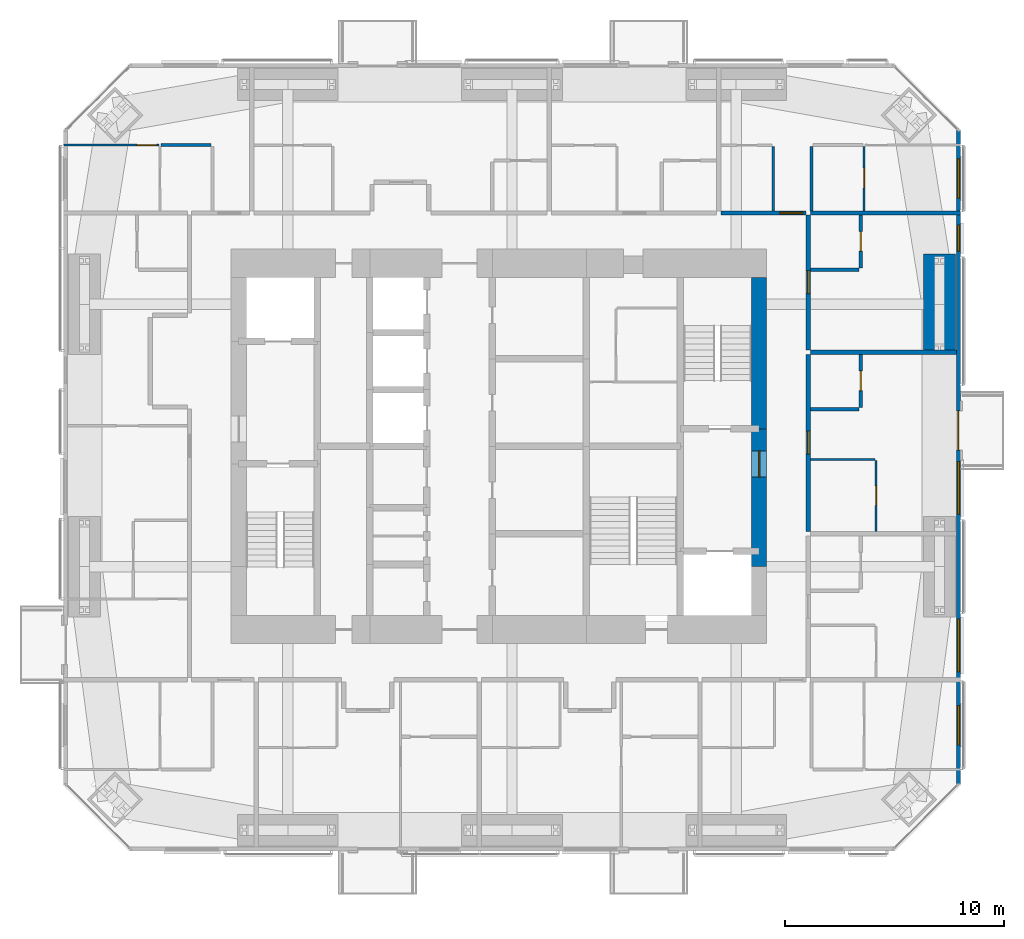
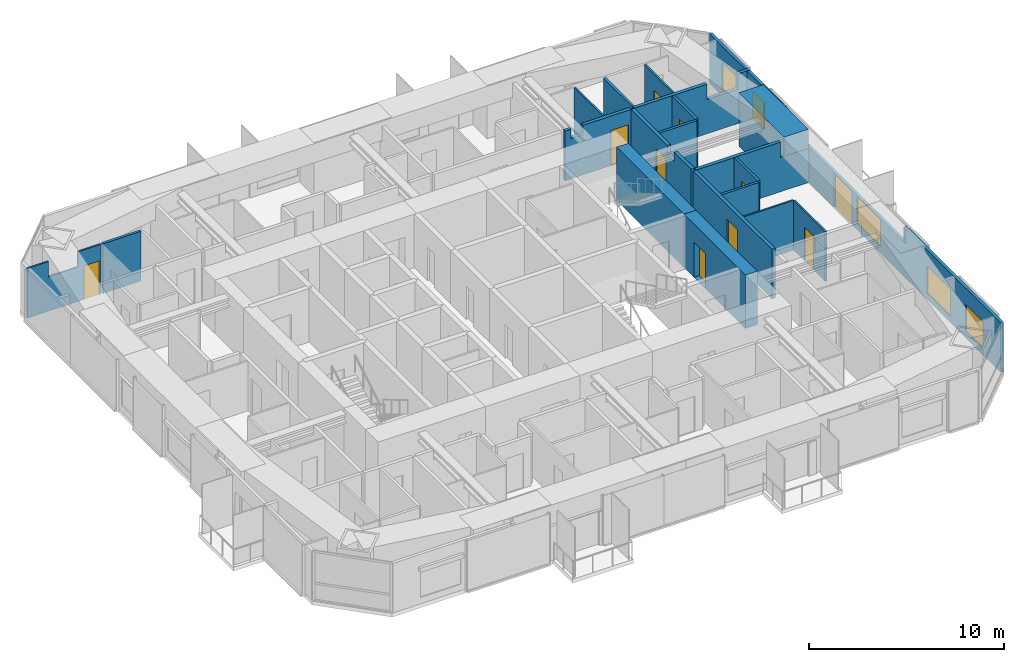
# One storey, part 20 of 23: 20 walls, 10 doors, 5 windows, 15 openings.
"""IFC4 building model written with IfcOpenShell, lengths in metres."""

from ifc_helpers import new_model, si_unit, direction, frame, frame_2d, origin, place, context, subcontext, project, spatial, polyline, rectangle, outline, extrude, material, layer, layer_set, constituent, constituent_set, type_object, element, fill, save


model = new_model("IFC4")

# Units and contexts
model_context = context("Model", 3, precision=1e-05, world=origin(), true_north=direction((0.0, 1.0)))
body_context = subcontext(model_context, "Body", "Model", "MODEL_VIEW")
ifc_project = project(units=[si_unit("LENGTHUNIT", "METRE"), si_unit("AREAUNIT", "SQUARE_METRE"), si_unit("VOLUMEUNIT", "CUBIC_METRE"), si_unit("PLANEANGLEUNIT", "RADIAN"), si_unit("MASSUNIT", "GRAM", prefix="KILO")], contexts=[model_context])

# Site, building, storey
site_placement = place(None, origin())
site = spatial("IfcSite", under=ifc_project, at=site_placement, CompositionType="ELEMENT")
building_placement = place(site_placement, origin())
building = spatial("IfcBuilding", under=site, at=building_placement, Name="Jalousie Tower", CompositionType="ELEMENT")
storey_placement = place(building_placement, frame((0.0, 0.0, 157.699951171875)))
storey = spatial("IfcBuildingStorey", under=building, at=storey_placement, Name="L42", CompositionType="ELEMENT", Elevation=157.699951171875)

# Walls
ifc_material_1 = material(Name="Concrete block ASTM C90", Category="concrete")
ifc_constituent_1 = constituent(ifc_material_1, Name="Body")
ifc_material_2 = material(Name="Render")
ifc_constituent_2 = constituent(ifc_material_2, Name="Finish")
ifc_constituent_set_1 = constituent_set(constituents=[ifc_constituent_1, ifc_constituent_2])
wall_type_1 = type_object("IfcWallType", Name="BATHROOM WALL 150", PredefinedType="PLUMBINGWALL", material=ifc_constituent_set_1)
wall_1_placement = place(storey_placement, frame((18.72509765625, 32.27880859375, 0.0), z_axis=(0.0, 0.0, 1.0), x_axis=(-1.0, 0.0, 0.0)))
element("IfcWall", 1, at=wall_1_placement, inside=storey, type_object=wall_type_1, Name="Bathroom Wall 150 L42", PredefinedType="PLUMBINGWALL", context=body_context, shape_type="SweptSolid", body=[
    extrude(rectangle(XDim=2.275146484375, YDim=0.14990234375, at=frame_2d((1.1376953125, 0.0))), origin(), (0.0, 0.0, 1.0), 3.110107421875),
])
wall_2_placement = place(storey_placement, frame((46.199951171875, 32.20361328125, 0.0), z_axis=(0.0, 0.0, 1.0), x_axis=(0.0, -1.0, 0.0)))
element("IfcWall", 2, at=wall_2_placement, inside=storey, type_object=wall_type_1, Name="Bathroom Wall 150 L42", PredefinedType="PLUMBINGWALL", context=body_context, shape_type="SweptSolid", body=[
    extrude(rectangle(XDim=2.9287109375, YDim=0.14990234375, at=frame_2d((1.46435546875, 0.0))), origin(), (0.0, 0.0, 1.0), 3.110107421875),
])

# Wall, opening, door
wall_3_placement = place(storey_placement, frame((48.449951171875, 20.27490234375, 0.0), z_axis=(0.0, 0.0, 1.0), x_axis=(0.0, 1.0, 0.0)))
wall_3 = element("IfcWall", 3, at=wall_3_placement, inside=storey, type_object=wall_type_1, Name="Bathroom Wall 150 L42", PredefinedType="PLUMBINGWALL", context=body_context, shape_type="SweptSolid", body=[
    extrude(rectangle(XDim=2.425048828125, YDim=0.14990234375, at=frame_2d((1.21240234375, 0.0))), origin(), (0.0, 0.0, 1.0), 3.110107421875),
])
opening_1_placement = place(wall_3_placement, frame((0.77490234375, 0.0, 0.0)))
opening_1 = element("IfcOpeningElement", 4, at=opening_1_placement, cuts=wall_3, Name="Opening D3", PredefinedType="OPENING", context=body_context, shape_type="SweptSolid", body=[
    extrude(rectangle(XDim=0.89990234375, YDim=2.10009765625, at=frame_2d((0.449951171875, 1.050048828125))), frame((0.0, 0.0849609375, 0.0), z_axis=(0.0, -1.0, 0.0), x_axis=(1.0, 0.0, 0.0)), (0.0, 0.0, 1.0), 0.169921875),
])
ifc_material_3 = material(Name="Timber door", Category="wood")
door_type_1 = type_object("IfcDoorType", Name="BATHROOM DOOR 900", OperationType="SINGLE_SWING_LEFT", PredefinedType="DOOR", material=ifc_material_3)
door_1_placement = place(opening_1_placement, origin())
door_1 = element("IfcDoor", 5, at=door_1_placement, inside=storey, type_object=door_type_1, Name="Apartment 4211 bathroom door", OperationType="SINGLE_SWING_RIGHT", OverallHeight=2.10009765625, OverallWidth=0.89990234375, PredefinedType="DOOR", context=body_context, shape_type="SweptSolid", body=[
    extrude(rectangle(XDim=0.89990234375, YDim=2.10009765625, at=frame_2d((0.449951171875, 1.050048828125))), frame((0.0, 0.02490234375, 0.0), z_axis=(0.0, -1.0, 0.0), x_axis=(1.0, 0.0, 0.0)), (0.0, 0.0, 1.0), 0.050048828125),
])
fill(opening_1, door_1)

# Wall
wall_4_placement = place(storey_placement, frame((48.375, 20.199951171875, 0.0), z_axis=(0.0, 0.0, 1.0), x_axis=(-1.0, 0.0, 0.0)))
element("IfcWall", 6, at=wall_4_placement, inside=storey, type_object=wall_type_1, Name="Bathroom Wall 150 L42", PredefinedType="PLUMBINGWALL", context=body_context, shape_type="SweptSolid", body=[
    extrude(rectangle(XDim=2.22509765625, YDim=0.14990234375, at=frame_2d((1.112548828125, 0.0))), origin(), (0.0, 0.0, 1.0), 3.110107421875),
])

# Wall, opening, door
wall_5_placement = place(storey_placement, frame((48.449951171875, 26.64990234375, 0.0), z_axis=(0.0, 0.0, 1.0), x_axis=(0.0, 1.0, 0.0)))
wall_5 = element("IfcWall", 7, at=wall_5_placement, inside=storey, type_object=wall_type_1, Name="Bathroom Wall 150 L42", PredefinedType="PLUMBINGWALL", context=body_context, shape_type="SweptSolid", body=[
    extrude(rectangle(XDim=2.425048828125, YDim=0.14990234375, at=frame_2d((1.21240234375, 0.0))), origin(), (0.0, 0.0, 1.0), 3.110107421875),
])
opening_2_placement = place(wall_5_placement, frame((0.77490234375, 0.0, 0.0)))
opening_2 = element("IfcOpeningElement", 8, at=opening_2_placement, cuts=wall_5, Name="Opening D3", PredefinedType="OPENING", context=body_context, shape_type="SweptSolid", body=[
    extrude(rectangle(XDim=0.89990234375, YDim=2.10009765625, at=frame_2d((0.449951171875, 1.050048828125))), frame((0.0, 0.0849609375, 0.0), z_axis=(0.0, -1.0, 0.0), x_axis=(1.0, 0.0, 0.0)), (0.0, 0.0, 1.0), 0.169921875),
])
door_2_placement = place(opening_2_placement, origin())
door_2 = element("IfcDoor", 9, at=door_2_placement, inside=storey, type_object=door_type_1, Name="Apartment 4212 bathroom door", OperationType="SINGLE_SWING_RIGHT", OverallHeight=2.10009765625, OverallWidth=0.89990234375, PredefinedType="DOOR", context=body_context, shape_type="SweptSolid", body=[
    extrude(rectangle(XDim=0.89990234375, YDim=2.10009765625, at=frame_2d((0.449951171875, 1.050048828125))), frame((0.0, 0.02490234375, 0.0), z_axis=(0.0, -1.0, 0.0), x_axis=(1.0, 0.0, 0.0)), (0.0, 0.0, 1.0), 0.050048828125),
])
fill(opening_2, door_2)

# Wall
wall_6_placement = place(storey_placement, frame((48.375, 26.574951171875, 0.0), z_axis=(0.0, 0.0, 1.0), x_axis=(-1.0, 0.0, 0.0)))
element("IfcWall", 10, at=wall_6_placement, inside=storey, type_object=wall_type_1, Name="Bathroom Wall 150 L42", PredefinedType="PLUMBINGWALL", context=body_context, shape_type="SweptSolid", body=[
    extrude(rectangle(XDim=2.22509765625, YDim=0.14990234375, at=frame_2d((1.112548828125, 0.0))), origin(), (0.0, 0.0, 1.0), 3.110107421875),
])

# Wall, opening, door
ifc_material_4 = material(Name="Concrete f'c 120 MPa", Category="concrete")
ifc_layer_1 = layer(ifc_material_4, 0.699951171875)
ifc_layer_set_1 = layer_set([ifc_layer_1], Name="Concrete f'c 120 MPa")
wall_type_2 = type_object("IfcWallType", Name="CORE WALL 700", PredefinedType="SHEAR", material=ifc_layer_set_1)
wall_7_placement = place(storey_placement, frame((43.800048828125, 13.0, 0.0), z_axis=(0.0, 0.0, 1.0), x_axis=(0.0, 1.0, 0.0)))
wall_7 = element("IfcWall", 11, at=wall_7_placement, inside=storey, type_object=wall_type_2, Name="Core wall EB L42", PredefinedType="SHEAR", context=body_context, shape_type="SweptSolid", body=[
    extrude(rectangle(XDim=6.300048828125, YDim=0.699951171875, at=frame_2d((3.14990234375, 0.0))), origin(), (0.0, 0.0, 1.0), 3.35009765625),
])
opening_3_placement = place(wall_7_placement, frame((4.10009765625, 0.0, 0.0)))
opening_3 = element("IfcOpeningElement", 12, at=opening_3_placement, cuts=wall_7, Name="Opening D11", PredefinedType="OPENING", context=body_context, shape_type="SweptSolid", body=[
    extrude(rectangle(XDim=1.199951171875, YDim=2.199951171875, at=frame_2d((0.60009765625, 1.10009765625))), frame((0.0, 0.35986328125, 0.0), z_axis=(0.0, -1.0, 0.0), x_axis=(1.0, 0.0, 0.0)), (0.0, 0.0, 1.0), 0.719970703125),
])
ifc_material_5 = material(Name="Steel fire door", Category="steel")
door_type_2 = type_object("IfcDoorType", Name="FIRE DOOR 1200", OperationType="SINGLE_SWING_LEFT", PredefinedType="DOOR", material=ifc_material_5)
door_3_placement = place(opening_3_placement, origin())
door_3 = element("IfcDoor", 13, at=door_3_placement, inside=storey, type_object=door_type_2, Name="Fire-fighting lobby B door", OperationType="SINGLE_SWING_RIGHT", OverallHeight=2.199951171875, OverallWidth=1.199951171875, PredefinedType="DOOR", context=body_context, shape_type="SweptSolid", body=[
    extrude(rectangle(XDim=1.199951171875, YDim=2.199951171875, at=frame_2d((0.60009765625, 1.10009765625))), frame((0.0, 0.02490234375, 0.0), z_axis=(0.0, -1.0, 0.0), x_axis=(1.0, 0.0, 0.0)), (0.0, 0.0, 1.0), 0.050048828125),
])
fill(opening_3, door_3)

# Wall
wall_8_placement = place(storey_placement, frame((43.800048828125, 19.300048828125, 0.0), z_axis=(0.0, 0.0, 1.0), x_axis=(0.0, 1.0, 0.0)))
element("IfcWall", 14, at=wall_8_placement, inside=storey, type_object=wall_type_2, Name="Core wall EC L42", PredefinedType="SHEAR", context=body_context, shape_type="SweptSolid", body=[
    extrude(rectangle(XDim=6.925048828125, YDim=0.699951171875, at=frame_2d((3.46240234375, 0.0))), origin(), (0.0, 0.0, 1.0), 3.35009765625),
])

# Wall, opening, door
ifc_material_6 = material(Name="Concrete block ASTM C90", Category="concrete")
ifc_constituent_3 = constituent(ifc_material_6, Name="Body")
ifc_material_7 = material(Name="Render")
ifc_constituent_4 = constituent(ifc_material_7, Name="Finish")
ifc_constituent_set_2 = constituent_set(constituents=[ifc_constituent_3, ifc_constituent_4])
wall_type_3 = type_object("IfcWallType", Name="CORRIDOR WALL 200", PredefinedType="PARTITIONING", material=ifc_constituent_set_2)
wall_9_placement = place(storey_placement, frame((42.050048828125, 29.175048828125, 0.0), z_axis=(0.0, 0.0, 1.0), x_axis=(1.0, 0.0, 0.0)))
wall_9 = element("IfcWall", 15, at=wall_9_placement, inside=storey, type_object=wall_type_3, Name="Corridor Wall 200 L42", PredefinedType="PARTITIONING", context=body_context, shape_type="SweptSolid", body=[
    extrude(outline(polyline([(0.0, 0.0), (3.89990234375, 0.0), (3.89990234375, 3.110107421875), (1.046142578125, 3.110107421875), (1.046142578125, 2.531005859375), (0.353759765625, 2.531005859375), (0.353759765625, 3.110107421875), (0.0, 3.110107421875), (0.0, 0.0)])), frame((0.0, 0.10009765625, 0.0), z_axis=(0.0, -1.0, 0.0), x_axis=(1.0, 0.0, 0.0)), (0.0, 0.0, 1.0), 0.199951171875),
])
opening_4_placement = place(wall_9_placement, frame((2.699951171875, 0.0, 0.0)))
opening_4 = element("IfcOpeningElement", 16, at=opening_4_placement, cuts=wall_9, Name="Opening D1", PredefinedType="OPENING", context=body_context, shape_type="SweptSolid", body=[
    extrude(rectangle(XDim=1.050048828125, YDim=2.199951171875, at=frame_2d((0.52490234375, 1.10009765625))), frame((0.0, 0.10986328125, 0.0), z_axis=(0.0, -1.0, 0.0), x_axis=(1.0, 0.0, 0.0)), (0.0, 0.0, 1.0), 0.219970703125),
])
ifc_material_8 = material(Name="Timber fire door", Category="wood")
door_type_3 = type_object("IfcDoorType", Name="APARTMENT ENTRANCE DOOR 1050", OperationType="SINGLE_SWING_LEFT", PredefinedType="DOOR", material=ifc_material_8)
door_4_placement = place(opening_4_placement, origin())
door_4 = element("IfcDoor", 17, at=door_4_placement, inside=storey, type_object=door_type_3, Name="Apartment 4208 entrance", OperationType="SINGLE_SWING_LEFT", OverallHeight=2.199951171875, OverallWidth=1.050048828125, PredefinedType="DOOR", context=body_context, shape_type="SweptSolid", body=[
    extrude(rectangle(XDim=1.050048828125, YDim=2.199951171875, at=frame_2d((0.52490234375, 1.10009765625))), frame((0.0, 0.02490234375, 0.0), z_axis=(0.0, -1.0, 0.0), x_axis=(1.0, 0.0, 0.0)), (0.0, 0.0, 1.0), 0.050048828125),
])
fill(opening_4, door_4)

wall_10_placement = place(storey_placement, frame((46.050048828125, 14.60009765625, 0.0), z_axis=(0.0, 0.0, 1.0), x_axis=(0.0, 1.0, 0.0)))
wall_10 = element("IfcWall", 18, at=wall_10_placement, inside=storey, type_object=wall_type_3, Name="Corridor Wall 200 L42", PredefinedType="PARTITIONING", context=body_context, shape_type="SweptSolid", body=[
    extrude(rectangle(XDim=8.099853515625, YDim=0.199951171875, at=frame_2d((4.0498046875, 0.0))), origin(), (0.0, 0.0, 1.0), 3.110107421875),
])
opening_5_placement = place(wall_10_placement, frame((3.550048828125, 0.0, 0.0)))
opening_5 = element("IfcOpeningElement", 19, at=opening_5_placement, cuts=wall_10, Name="Opening D1", PredefinedType="OPENING", context=body_context, shape_type="SweptSolid", body=[
    extrude(rectangle(XDim=1.050048828125, YDim=2.199951171875, at=frame_2d((0.52490234375, 1.10009765625))), frame((0.0, 0.10986328125, 0.0), z_axis=(0.0, -1.0, 0.0), x_axis=(1.0, 0.0, 0.0)), (0.0, 0.0, 1.0), 0.219970703125),
])
door_5_placement = place(opening_5_placement, frame((1.050048828125, 0.0, 0.0), z_axis=(0.0, 0.0, 1.0), x_axis=(-1.0, 0.0, 0.0)))
door_5 = element("IfcDoor", 20, at=door_5_placement, inside=storey, type_object=door_type_3, Name="Apartment 4211 entrance", OperationType="SINGLE_SWING_RIGHT", OverallHeight=2.199951171875, OverallWidth=1.050048828125, PredefinedType="DOOR", context=body_context, shape_type="SweptSolid", body=[
    extrude(rectangle(XDim=1.050048828125, YDim=2.199951171875, at=frame_2d((0.52490234375, 1.10009765625))), frame((0.0, 0.02490234375, 0.0), z_axis=(0.0, -1.0, 0.0), x_axis=(1.0, 0.0, 0.0)), (0.0, 0.0, 1.0), 0.050048828125),
])
fill(opening_5, door_5)

wall_11_placement = place(storey_placement, frame((46.050048828125, 22.89990234375, 0.0), z_axis=(0.0, 0.0, 1.0), x_axis=(0.0, 1.0, 0.0)))
wall_11 = element("IfcWall", 21, at=wall_11_placement, inside=storey, type_object=wall_type_3, Name="Corridor Wall 200 L42", PredefinedType="PARTITIONING", context=body_context, shape_type="SweptSolid", body=[
    extrude(outline(polyline([(0.0, 0.0), (6.175048828125, 0.0), (6.175048828125, 3.110107421875), (2.4462890625, 3.110107421875), (2.4462890625, 2.531005859375), (1.75390625, 2.531005859375), (1.75390625, 3.110107421875), (0.0, 3.110107421875), (0.0, 0.0)])), frame((0.0, 0.10009765625, 0.0), z_axis=(0.0, -1.0, 0.0), x_axis=(1.0, 0.0, 0.0)), (0.0, 0.0, 1.0), 0.199951171875),
])
opening_6_placement = place(wall_11_placement, frame((2.58740234375, 0.0, 0.0)))
opening_6 = element("IfcOpeningElement", 22, at=opening_6_placement, cuts=wall_11, Name="Opening D1", PredefinedType="OPENING", context=body_context, shape_type="SweptSolid", body=[
    extrude(rectangle(XDim=1.050048828125, YDim=2.199951171875, at=frame_2d((0.52490234375, 1.10009765625))), frame((0.0, 0.10986328125, 0.0), z_axis=(0.0, -1.0, 0.0), x_axis=(1.0, 0.0, 0.0)), (0.0, 0.0, 1.0), 0.219970703125),
])
door_6_placement = place(opening_6_placement, frame((1.050048828125, 0.0, 0.0), z_axis=(0.0, 0.0, 1.0), x_axis=(-1.0, 0.0, 0.0)))
door_6 = element("IfcDoor", 23, at=door_6_placement, inside=storey, type_object=door_type_3, Name="Apartment 4212 entrance", OperationType="SINGLE_SWING_LEFT", OverallHeight=2.199951171875, OverallWidth=1.050048828125, PredefinedType="DOOR", context=body_context, shape_type="SweptSolid", body=[
    extrude(rectangle(XDim=1.050048828125, YDim=2.199951171875, at=frame_2d((0.52490234375, 1.10009765625))), frame((0.0, 0.02490234375, 0.0), z_axis=(0.0, -1.0, 0.0), x_axis=(1.0, 0.0, 0.0)), (0.0, 0.0, 1.0), 0.050048828125),
])
fill(opening_6, door_6)

# Wall, openings, door, windows
ifc_material_9 = material(Name="Concrete f'c 40 MPa", Category="concrete")
ifc_constituent_5 = constituent(ifc_material_9, Name="Body")
ifc_material_10 = material(Name="Render, pastel lemon")
ifc_constituent_6 = constituent(ifc_material_10, Name="Finish")
ifc_constituent_set_3 = constituent_set(constituents=[ifc_constituent_5, ifc_constituent_6])
wall_type_4 = type_object("IfcWallType", Name="EXTERNAL WALL 175 LEMON RENDER", PredefinedType="SOLIDWALL", material=ifc_constituent_set_3)
wall_12_placement = place(storey_placement, frame((52.91259765625, 3.05126953125, 0.0), z_axis=(0.0, 0.0, 1.0), x_axis=(0.0, 1.0, 0.0)))
wall_12 = element("IfcWall", 24, at=wall_12_placement, inside=storey, type_object=wall_type_4, Name="External Wall 175 Lemon Render L42", PredefinedType="SOLIDWALL", context=body_context, shape_type="SweptSolid", body=[
    extrude(outline(polyline([(0.0, 0.0), (29.8974609375, 0.0), (29.8974609375, 3.110107421875), (22.16748046875, 3.110107421875), (22.16748046875, 2.150146484375), (22.073974609375, 2.150146484375), (22.073974609375, 3.110107421875), (21.94873046875, 3.110107421875), (21.94873046875, 2.150146484375), (9.94873046875, 2.150146484375), (9.94873046875, 3.110107421875), (9.846923828125, 3.110107421875), (9.846923828125, 2.150146484375), (9.7060546875, 2.150146484375), (9.7060546875, 3.110107421875), (0.0, 3.110107421875), (0.0, 0.0)])), frame((0.0, 0.08740234375, 0.0), z_axis=(0.0, -1.0, 0.0), x_axis=(1.0, 0.0, 0.0)), (0.0, 0.0, 1.0), 0.175048828125),
])
opening_7_placement = place(wall_12_placement, frame((1.796875, 0.0, 0.39990234375)))
opening_7 = element("IfcOpeningElement", 25, at=opening_7_placement, cuts=wall_12, Name="Opening W-BED170", PredefinedType="OPENING", context=body_context, shape_type="SweptSolid", body=[
    extrude(rectangle(XDim=1.800048828125, YDim=1.699951171875, at=frame_2d((0.89990234375, 0.85009765625))), frame((0.0, 0.097412109375, 0.0), z_axis=(0.0, -1.0, 0.0), x_axis=(1.0, 0.0, 0.0)), (0.0, 0.0, 1.0), 0.195068359375),
])
opening_8_placement = place(wall_12_placement, frame((5.148681640625, 0.0, 0.39990234375)))
opening_8 = element("IfcOpeningElement", 26, at=opening_8_placement, cuts=wall_12, Name="Opening W-LIV170", PredefinedType="OPENING", context=body_context, shape_type="SweptSolid", body=[
    extrude(rectangle(XDim=2.39990234375, YDim=1.699951171875, at=frame_2d((1.199951171875, 0.85009765625))), frame((0.0, 0.097412109375, 0.0), z_axis=(0.0, -1.0, 0.0), x_axis=(1.0, 0.0, 0.0)), (0.0, 0.0, 1.0), 0.195068359375),
])
opening_9_placement = place(wall_12_placement, frame((15.273681640625, 0.0, 0.0)))
opening_9 = element("IfcOpeningElement", 27, at=opening_9_placement, cuts=wall_12, Name="Opening D-BAL21", PredefinedType="OPENING", context=body_context, shape_type="SweptSolid", body=[
    extrude(rectangle(XDim=1.800048828125, YDim=2.10009765625, at=frame_2d((0.89990234375, 1.050048828125))), frame((0.0, 0.097412109375, 0.0), z_axis=(0.0, -1.0, 0.0), x_axis=(1.0, 0.0, 0.0)), (0.0, 0.0, 1.0), 0.195068359375),
])
opening_10_placement = place(wall_12_placement, frame((12.3486328125, 0.0, 0.39990234375)))
opening_10 = element("IfcOpeningElement", 28, at=opening_10_placement, cuts=wall_12, Name="Opening W-LIV170", PredefinedType="OPENING", context=body_context, shape_type="SweptSolid", body=[
    extrude(rectangle(XDim=2.39990234375, YDim=1.699951171875, at=frame_2d((1.199951171875, 0.85009765625))), frame((0.0, 0.097412109375, 0.0), z_axis=(0.0, -1.0, 0.0), x_axis=(1.0, 0.0, 0.0)), (0.0, 0.0, 1.0), 0.195068359375),
])
opening_11_placement = place(wall_12_placement, frame((24.373291015625, 0.0, 0.39990234375)))
opening_11 = element("IfcOpeningElement", 29, at=opening_11_placement, cuts=wall_12, Name="Opening W-COR170", PredefinedType="OPENING", context=body_context, shape_type="SweptSolid", body=[
    extrude(rectangle(XDim=1.199951171875, YDim=1.699951171875, at=frame_2d((0.60009765625, 0.85009765625))), frame((0.0, 0.097412109375, 0.0), z_axis=(0.0, -1.0, 0.0), x_axis=(1.0, 0.0, 0.0)), (0.0, 0.0, 1.0), 0.195068359375),
])
opening_12_placement = place(wall_12_placement, frame((26.800537109375, 0.0, 0.39990234375)))
opening_12 = element("IfcOpeningElement", 30, at=opening_12_placement, cuts=wall_12, Name="Opening W-BED170", PredefinedType="OPENING", context=body_context, shape_type="SweptSolid", body=[
    extrude(rectangle(XDim=1.800048828125, YDim=1.699951171875, at=frame_2d((0.89990234375, 0.85009765625))), frame((0.0, 0.097412109375, 0.0), z_axis=(0.0, -1.0, 0.0), x_axis=(1.0, 0.0, 0.0)), (0.0, 0.0, 1.0), 0.195068359375),
])
ifc_material_11 = material(Name="Aluminium frame, impact-rated glazing", Category="aluminium")
door_type_4 = type_object("IfcDoorType", Name="BALCONY DOOR 1800x2100", OperationType="SLIDING_TO_LEFT", PredefinedType="DOOR", material=ifc_material_11)
door_7_placement = place(opening_9_placement, origin())
door_7 = element("IfcDoor", 31, at=door_7_placement, inside=storey, type_object=door_type_4, Name="Apartment 4211 studio living and sleeping room balcony door", OperationType="SLIDING_TO_LEFT", OverallHeight=2.10009765625, OverallWidth=1.800048828125, PredefinedType="DOOR", context=body_context, shape_type="SweptSolid", body=[
    extrude(rectangle(XDim=1.800048828125, YDim=2.10009765625, at=frame_2d((0.89990234375, 1.050048828125))), frame((0.0, 0.02490234375, 0.0), z_axis=(0.0, -1.0, 0.0), x_axis=(1.0, 0.0, 0.0)), (0.0, 0.0, 1.0), 0.050048828125),
])
fill(opening_9, door_7)
ifc_material_12 = material(Name="Aluminium frame, impact-rated glazing", Category="aluminium")
window_type_1 = type_object("IfcWindowType", Name="WINDOW BED 1800x1700", PartitioningType="SINGLE_PANEL", PredefinedType="WINDOW", material=ifc_material_12)
window_1_placement = place(opening_7_placement, origin())
window_1 = element("IfcWindow", 32, at=window_1_placement, inside=storey, type_object=window_type_1, Name="Apartment 4204 bedroom 1 window", OverallHeight=1.699951171875, OverallWidth=1.800048828125, PartitioningType="SINGLE_PANEL", PredefinedType="WINDOW", context=body_context, shape_type="SweptSolid", body=[
    extrude(rectangle(XDim=1.800048828125, YDim=1.699951171875, at=frame_2d((0.89990234375, 0.85009765625))), frame((0.0, 0.030029296875, 0.0), z_axis=(0.0, -1.0, 0.0), x_axis=(1.0, 0.0, 0.0)), (0.0, 0.0, 1.0), 0.06005859375),
])
fill(opening_7, window_1)
window_2_placement = place(opening_12_placement, origin())
window_2 = element("IfcWindow", 33, at=window_2_placement, inside=storey, type_object=window_type_1, Name="Apartment 4208 bedroom 1 window", OverallHeight=1.699951171875, OverallWidth=1.800048828125, PartitioningType="SINGLE_PANEL", PredefinedType="WINDOW", context=body_context, shape_type="SweptSolid", body=[
    extrude(rectangle(XDim=1.800048828125, YDim=1.699951171875, at=frame_2d((0.89990234375, 0.85009765625))), frame((0.0, 0.030029296875, 0.0), z_axis=(0.0, -1.0, 0.0), x_axis=(1.0, 0.0, 0.0)), (0.0, 0.0, 1.0), 0.06005859375),
])
fill(opening_12, window_2)
ifc_material_13 = material(Name="Aluminium frame, impact-rated glazing", Category="aluminium")
window_type_2 = type_object("IfcWindowType", Name="WINDOW COR 1200x1700", PartitioningType="SINGLE_PANEL", PredefinedType="WINDOW", material=ifc_material_13)
window_3_placement = place(opening_11_placement, origin())
window_3 = element("IfcWindow", 34, at=window_3_placement, inside=storey, type_object=window_type_2, Name="Apartment 4212 studio kitchen, living and sleeping room window", OverallHeight=1.699951171875, OverallWidth=1.199951171875, PartitioningType="SINGLE_PANEL", PredefinedType="WINDOW", context=body_context, shape_type="SweptSolid", body=[
    extrude(rectangle(XDim=1.199951171875, YDim=1.699951171875, at=frame_2d((0.60009765625, 0.85009765625))), frame((0.0, 0.030029296875, 0.0), z_axis=(0.0, -1.0, 0.0), x_axis=(1.0, 0.0, 0.0)), (0.0, 0.0, 1.0), 0.06005859375),
])
fill(opening_11, window_3)
ifc_material_14 = material(Name="Aluminium frame, impact-rated glazing", Category="aluminium")
window_type_3 = type_object("IfcWindowType", Name="WINDOW LIV 2400x1700", PartitioningType="DOUBLE_PANEL_VERTICAL", PredefinedType="WINDOW", material=ifc_material_14)
window_4_placement = place(opening_8_placement, origin())
window_4 = element("IfcWindow", 35, at=window_4_placement, inside=storey, type_object=window_type_3, Name="Apartment 4210 studio living and sleeping room window", OverallHeight=1.699951171875, OverallWidth=2.39990234375, PartitioningType="SINGLE_PANEL", PredefinedType="WINDOW", context=body_context, shape_type="SweptSolid", body=[
    extrude(rectangle(XDim=2.39990234375, YDim=1.699951171875, at=frame_2d((1.199951171875, 0.85009765625))), frame((0.0, 0.030029296875, 0.0), z_axis=(0.0, -1.0, 0.0), x_axis=(1.0, 0.0, 0.0)), (0.0, 0.0, 1.0), 0.06005859375),
])
fill(opening_8, window_4)
window_5_placement = place(opening_10_placement, origin())
window_5 = element("IfcWindow", 36, at=window_5_placement, inside=storey, type_object=window_type_3, Name="Apartment 4211 studio living and sleeping room window", OverallHeight=1.699951171875, OverallWidth=2.39990234375, PartitioningType="SINGLE_PANEL", PredefinedType="WINDOW", context=body_context, shape_type="SweptSolid", body=[
    extrude(rectangle(XDim=2.39990234375, YDim=1.699951171875, at=frame_2d((1.199951171875, 0.85009765625))), frame((0.0, 0.030029296875, 0.0), z_axis=(0.0, -1.0, 0.0), x_axis=(1.0, 0.0, 0.0)), (0.0, 0.0, 1.0), 0.06005859375),
])
fill(opening_10, window_5)

# Wall, opening, door
ifc_material_15 = material(Name="Gypsum board", Category="gypsum")
ifc_constituent_7 = constituent(ifc_material_15, Name="Body")
ifc_material_16 = material(Name="Light-gauge steel studs ASTM A653 SS Grade 33", Category="steel")
ifc_constituent_8 = constituent(ifc_material_16, Name="Framing")
ifc_constituent_set_4 = constituent_set(constituents=[ifc_constituent_7, ifc_constituent_8])
wall_type_5 = type_object("IfcWallType", Name="PARTITION 100", PredefinedType="PARTITIONING", material=ifc_constituent_set_4)
wall_13_placement = place(storey_placement, frame((16.35009765625, 32.27880859375, 0.0), z_axis=(0.0, 0.0, 1.0), x_axis=(-1.0, 0.0, 0.0)))
wall_13 = element("IfcWall", 37, at=wall_13_placement, inside=storey, type_object=wall_type_5, Name="Partition 100 L42", PredefinedType="PARTITIONING", context=body_context, shape_type="SweptSolid", body=[
    extrude(outline(polyline([(0.0, 0.0), (4.35009765625, 0.0), (4.35009765625, 3.110107421875), (3.094482421875, 3.110107421875), (3.094482421875, 2.150146484375), (1.352294921875, 2.150146484375), (1.352294921875, 3.110107421875), (0.0, 3.110107421875), (0.0, 0.0)])), frame((0.0, 0.050048828125, 0.0), z_axis=(0.0, -1.0, 0.0), x_axis=(1.0, 0.0, 0.0)), (0.0, 0.0, 1.0), 0.10009765625),
])
opening_13_placement = place(wall_13_placement, frame((0.10009765625, 0.0, 0.0)))
opening_13 = element("IfcOpeningElement", 38, at=opening_13_placement, cuts=wall_13, Name="Opening D2", PredefinedType="OPENING", context=body_context, shape_type="SweptSolid", body=[
    extrude(rectangle(XDim=0.89990234375, YDim=2.10009765625, at=frame_2d((0.449951171875, 1.050048828125))), frame((0.0, 0.06005859375, 0.0), z_axis=(0.0, -1.0, 0.0), x_axis=(1.0, 0.0, 0.0)), (0.0, 0.0, 1.0), 0.1201171875),
])
ifc_material_17 = material(Name="Timber door", Category="wood")
door_type_5 = type_object("IfcDoorType", Name="BEDROOM DOOR 900", OperationType="SINGLE_SWING_LEFT", PredefinedType="DOOR", material=ifc_material_17)
door_8_placement = place(opening_13_placement, origin())
door_8 = element("IfcDoor", 39, at=door_8_placement, inside=storey, type_object=door_type_5, Name="Apartment 4205 bedroom 1 door", OperationType="SINGLE_SWING_LEFT", OverallHeight=2.10009765625, OverallWidth=0.89990234375, PredefinedType="DOOR", context=body_context, shape_type="SweptSolid", body=[
    extrude(rectangle(XDim=0.89990234375, YDim=2.10009765625, at=frame_2d((0.449951171875, 1.050048828125))), frame((0.0, 0.02490234375, 0.0), z_axis=(0.0, -1.0, 0.0), x_axis=(1.0, 0.0, 0.0)), (0.0, 0.0, 1.0), 0.050048828125),
])
fill(opening_13, door_8)

wall_14_placement = place(storey_placement, frame((48.60009765625, 32.20361328125, 0.0), z_axis=(0.0, 0.0, 1.0), x_axis=(0.0, -1.0, 0.0)))
wall_14 = element("IfcWall", 40, at=wall_14_placement, inside=storey, type_object=wall_type_5, Name="Partition 100 L42", PredefinedType="PARTITIONING", context=body_context, shape_type="SweptSolid", body=[
    extrude(rectangle(XDim=2.9287109375, YDim=0.10009765625, at=frame_2d((1.46435546875, 0.0))), origin(), (0.0, 0.0, 1.0), 3.110107421875),
])
opening_14_placement = place(wall_14_placement, frame((0.976806640625, 0.0, 0.0)))
opening_14 = element("IfcOpeningElement", 41, at=opening_14_placement, cuts=wall_14, Name="Opening D3", PredefinedType="OPENING", context=body_context, shape_type="SweptSolid", body=[
    extrude(rectangle(XDim=0.89990234375, YDim=2.10009765625, at=frame_2d((0.449951171875, 1.050048828125))), frame((0.0, 0.06005859375, 0.0), z_axis=(0.0, -1.0, 0.0), x_axis=(1.0, 0.0, 0.0)), (0.0, 0.0, 1.0), 0.1201171875),
])
door_9_placement = place(opening_14_placement, frame((0.89990234375, 0.0, 0.0), z_axis=(0.0, 0.0, 1.0), x_axis=(-1.0, 0.0, 0.0)))
door_9 = element("IfcDoor", 42, at=door_9_placement, inside=storey, type_object=door_type_1, Name="Apartment 4208 bedroom 1 bathroom door", OperationType="SINGLE_SWING_RIGHT", OverallHeight=2.10009765625, OverallWidth=0.89990234375, PredefinedType="DOOR", context=body_context, shape_type="SweptSolid", body=[
    extrude(rectangle(XDim=0.89990234375, YDim=2.10009765625, at=frame_2d((0.449951171875, 1.050048828125))), frame((0.0, 0.02490234375, 0.0), z_axis=(0.0, -1.0, 0.0), x_axis=(1.0, 0.0, 0.0)), (0.0, 0.0, 1.0), 0.050048828125),
])
fill(opening_14, door_9)

# Wall
wall_15_placement = place(storey_placement, frame((44.449951171875, 32.22509765625, 0.0), z_axis=(0.0, 0.0, 1.0), x_axis=(0.0, -1.0, 0.0)))
element("IfcWall", 43, at=wall_15_placement, inside=storey, type_object=wall_type_5, Name="Partition 100 L42", PredefinedType="PARTITIONING", context=body_context, shape_type="SweptSolid", body=[
    extrude(rectangle(XDim=2.9501953125, YDim=0.10009765625, at=frame_2d((1.47509765625, 0.0))), origin(), (0.0, 0.0, 1.0), 3.110107421875),
])

# Wall, opening, door
wall_16_placement = place(storey_placement, frame((49.14990234375, 14.60009765625, 0.0), z_axis=(0.0, 0.0, 1.0), x_axis=(0.0, 1.0, 0.0)))
wall_16 = element("IfcWall", 44, at=wall_16_placement, inside=storey, type_object=wall_type_5, Name="Partition 100 L42", PredefinedType="PARTITIONING", context=body_context, shape_type="SweptSolid", body=[
    extrude(rectangle(XDim=3.25, YDim=0.10009765625, at=frame_2d((1.625, 0.0))), origin(), (0.0, 0.0, 1.0), 3.110107421875),
])
opening_15_placement = place(wall_16_placement, frame((1.199951171875, 0.0, 0.0)))
opening_15 = element("IfcOpeningElement", 45, at=opening_15_placement, cuts=wall_16, Name="Opening D7", PredefinedType="OPENING", context=body_context, shape_type="SweptSolid", body=[
    extrude(rectangle(XDim=0.89990234375, YDim=2.10009765625, at=frame_2d((0.449951171875, 1.050048828125))), frame((0.0, 0.06005859375, 0.0), z_axis=(0.0, -1.0, 0.0), x_axis=(1.0, 0.0, 0.0)), (0.0, 0.0, 1.0), 0.1201171875),
])
ifc_material_18 = material(Name="Timber door", Category="wood")
door_type_6 = type_object("IfcDoorType", Name="INTERNAL DOOR 900", OperationType="SINGLE_SWING_LEFT", PredefinedType="DOOR", material=ifc_material_18)
door_10_placement = place(opening_15_placement, origin())
door_10 = element("IfcDoor", 46, at=door_10_placement, inside=storey, type_object=door_type_6, Name="Apartment 4211 kitchen door", OperationType="SINGLE_SWING_RIGHT", OverallHeight=2.10009765625, OverallWidth=0.89990234375, PredefinedType="DOOR", context=body_context, shape_type="SweptSolid", body=[
    extrude(rectangle(XDim=0.89990234375, YDim=2.10009765625, at=frame_2d((0.449951171875, 1.050048828125))), frame((0.0, 0.02490234375, 0.0), z_axis=(0.0, -1.0, 0.0), x_axis=(1.0, 0.0, 0.0)), (0.0, 0.0, 1.0), 0.050048828125),
])
fill(opening_15, door_10)

# Walls
wall_17_placement = place(storey_placement, frame((49.10009765625, 17.89990234375, 0.0), z_axis=(0.0, 0.0, 1.0), x_axis=(-1.0, 0.0, 0.0)))
element("IfcWall", 47, at=wall_17_placement, inside=storey, type_object=wall_type_5, Name="Partition 100 L42", PredefinedType="PARTITIONING", context=body_context, shape_type="SweptSolid", body=[
    extrude(rectangle(XDim=2.9501953125, YDim=0.10009765625, at=frame_2d((1.47509765625, 0.0))), origin(), (0.0, 0.0, 1.0), 3.110107421875),
])
ifc_material_19 = material(Name="Concrete block ASTM C90", Category="concrete")
ifc_constituent_9 = constituent(ifc_material_19, Name="Body")
ifc_material_20 = material(Name="Render")
ifc_constituent_10 = constituent(ifc_material_20, Name="Finish")
ifc_constituent_set_5 = constituent_set(constituents=[ifc_constituent_9, ifc_constituent_10])
wall_type_6 = type_object("IfcWallType", Name="PARTY WALL 200", PredefinedType="PARTITIONING", material=ifc_constituent_set_5)
wall_18_placement = place(storey_placement, frame((46.14990234375, 29.175048828125, 0.0), z_axis=(0.0, 0.0, 1.0), x_axis=(1.0, 0.0, 0.0)))
element("IfcWall", 48, at=wall_18_placement, inside=storey, type_object=wall_type_6, Name="Party Wall 200 L42", PredefinedType="PARTITIONING", context=body_context, shape_type="SweptSolid", body=[
    extrude(outline(polyline([(0.0, 0.0), (6.85009765625, 0.0), (6.85009765625, 3.110107421875), (6.14697265625, 3.110107421875), (6.14697265625, 2.150146484375), (4.30322265625, 2.150146484375), (4.30322265625, 3.110107421875), (0.0, 3.110107421875), (0.0, 0.0)])), frame((0.0, 0.10009765625, 0.0), z_axis=(0.0, -1.0, 0.0), x_axis=(1.0, 0.0, 0.0)), (0.0, 0.0, 1.0), 0.199951171875),
])
wall_19_placement = place(storey_placement, frame((52.824951171875, 22.800048828125, 0.0), z_axis=(0.0, 0.0, 1.0), x_axis=(-1.0, 0.0, 0.0)))
element("IfcWall", 49, at=wall_19_placement, inside=storey, type_object=wall_type_6, Name="Party Wall 200 L42", PredefinedType="PARTITIONING", context=body_context, shape_type="SweptSolid", body=[
    extrude(outline(polyline([(0.0, 0.0), (6.675048828125, 0.0), (6.675048828125, 3.110107421875), (1.68505859375, 3.110107421875), (1.68505859375, 2.150146484375), (0.0, 2.150146484375), (0.0, 3.110107421875), (0.0, 0.0)])), frame((0.0, 0.10009765625, 0.0), z_axis=(0.0, -1.0, 0.0), x_axis=(1.0, 0.0, 0.0)), (0.0, 0.0, 1.0), 0.199951171875),
])
ifc_material_21 = material(Name="Concrete f'c 120 MPa", Category="concrete")
ifc_layer_2 = layer(ifc_material_21, 1.449951171875)
ifc_layer_set_2 = layer_set([ifc_layer_2], Name="Concrete f'c 120 MPa")
wall_type_7 = type_object("IfcWallType", Name="RC WALL PIER 1450", PredefinedType="SHEAR", material=ifc_layer_set_2)
wall_20_placement = place(storey_placement, frame((52.050048828125, 22.699951171875, 0.0), z_axis=(0.0, 0.0, 1.0), x_axis=(0.0, 1.0, 0.0)))
element("IfcWall", 50, at=wall_20_placement, inside=storey, type_object=wall_type_7, Name="Wall pier 07 L42", PredefinedType="SHEAR", context=body_context, shape_type="SweptSolid", body=[
    extrude(rectangle(XDim=4.60009765625, YDim=1.449951171875, at=frame_2d((2.300048828125, 0.0))), origin(), (0.0, 0.0, 1.0), 3.35009765625),
])

save(model, "model.ifc")
